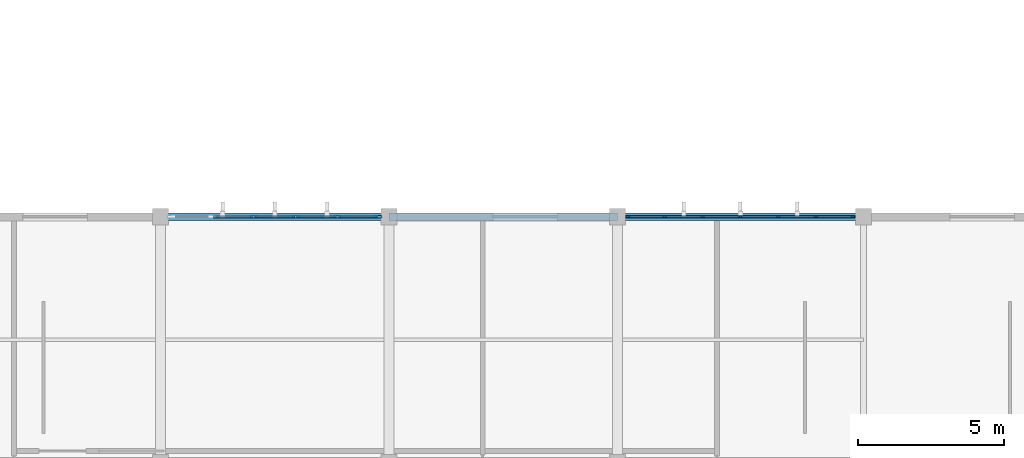
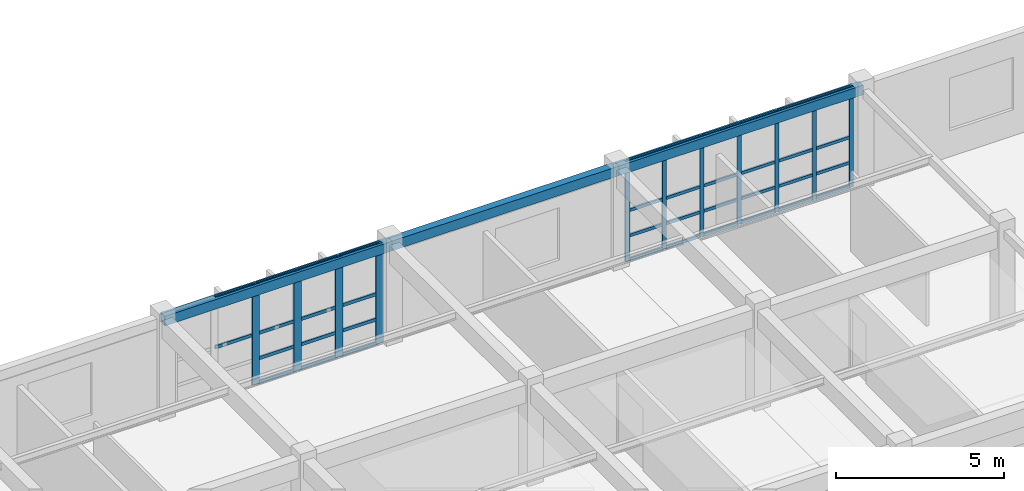
# One storey, part 14 of 35: 49 members, 3 beams, 2 elements without a shape of their own.
"""IFC4 building model written with IfcOpenShell, lengths in metres."""

from ifc_helpers import new_model, si_unit, direction, frame, origin, origin_2d, place, context, subcontext, project, spatial, rectangle, hollow_rectangle, extrude, material, material_profile, profile_set, type_object, element, aggregate, save


model = new_model("IFC4")

# Units and contexts
model_context = context("Model", 3, precision=1e-05, world=origin(), true_north=direction((0.0, 1.0)))
body_context = subcontext(model_context, "Body", "Model", "MODEL_VIEW")
ifc_project = project(units=[si_unit("LENGTHUNIT", "METRE"), si_unit("AREAUNIT", "SQUARE_METRE"), si_unit("VOLUMEUNIT", "CUBIC_METRE"), si_unit("PLANEANGLEUNIT", "RADIAN"), si_unit("MASSUNIT", "GRAM", prefix="KILO")], contexts=[model_context])

# Site, building, storey
site_placement = place(None, origin())
site = spatial("IfcSite", under=ifc_project, at=site_placement, CompositionType="ELEMENT")
building_placement = place(site_placement, origin())
building = spatial("IfcBuilding", under=site, at=building_placement, Name="Tizgana Railside Sports Hall", CompositionType="ELEMENT")
storey_placement = place(building_placement, frame((0.0, 0.0, 15.89990234375)))
storey = spatial("IfcBuildingStorey", under=building, at=storey_placement, Name="L03", CompositionType="ELEMENT", Elevation=15.89990234375)

# Curtain wall, members
ifc_material_1 = material(Name="Anodised aluminium and glass", Category="aluminium")
curtain_wall_type_1 = type_object("IfcCurtainWallType", Name="Unitised Curtain Wall WestHall 1560", PredefinedType="NOTDEFINED", material=ifc_material_1)
curtain_wall_1_placement = place(storey_placement, origin())
curtain_wall_1 = element("IfcCurtainWall", 1, at=curtain_wall_1_placement, inside=storey, type_object=curtain_wall_type_1, Name="L03 Curtain Wall CW-0126", PredefinedType="NOTDEFINED")
ifc_material_2 = material(Name="Anodised aluminium", Category="aluminium")
ifc_material_profile_1 = material_profile(ifc_material_2, rectangle(XDim=0.06005859375, YDim=0.139892578125, at=origin_2d()), Name="Mullion 60x140")
ifc_profile_set_1 = profile_set([ifc_material_profile_1], Name="Anodised aluminium")
member_type_1 = type_object("IfcMemberType", Name="Mullion 60x140", PredefinedType="MULLION", material=ifc_profile_set_1)
member_1_placement = place(storey_placement, frame((54.9599609375, 32.39990234375, 0.0), z_axis=(0.0, 0.0, 1.0), x_axis=(0.0, 1.0, 0.0)))
member_1 = element("IfcMember", 2, at=member_1_placement, type_object=member_type_1, Name="CW-07 mullion 1", PredefinedType="MULLION", context=body_context, shape_type="SweptSolid", body=[
    extrude(rectangle(XDim=0.06005859375, YDim=0.139892578125, at=origin_2d()), origin(), (0.0, 0.0, 1.0), 3.64013671875),
])
member_2_placement = place(storey_placement, frame((56.219970703125, 32.39990234375, 0.0), z_axis=(0.0, 0.0, 1.0), x_axis=(0.0, 1.0, 0.0)))
member_2 = element("IfcMember", 3, at=member_2_placement, type_object=member_type_1, Name="CW-07 mullion 2", PredefinedType="MULLION", context=body_context, shape_type="SweptSolid", body=[
    extrude(rectangle(XDim=0.06005859375, YDim=0.139892578125, at=origin_2d()), origin(), (0.0, 0.0, 1.0), 3.64013671875),
])
member_3_placement = place(storey_placement, frame((57.510009765625, 32.39990234375, 0.0), z_axis=(0.0, 0.0, 1.0), x_axis=(0.0, 1.0, 0.0)))
member_3 = element("IfcMember", 4, at=member_3_placement, type_object=member_type_1, Name="CW-07 mullion 3", PredefinedType="MULLION", context=body_context, shape_type="SweptSolid", body=[
    extrude(rectangle(XDim=0.06005859375, YDim=0.139892578125, at=origin_2d()), origin(), (0.0, 0.0, 1.0), 3.64013671875),
])
member_4_placement = place(storey_placement, frame((58.800048828125, 32.39990234375, 0.0), z_axis=(0.0, 0.0, 1.0), x_axis=(0.0, 1.0, 0.0)))
member_4 = element("IfcMember", 5, at=member_4_placement, type_object=member_type_1, Name="CW-07 mullion 4", PredefinedType="MULLION", context=body_context, shape_type="SweptSolid", body=[
    extrude(rectangle(XDim=0.06005859375, YDim=0.139892578125, at=origin_2d()), origin(), (0.0, 0.0, 1.0), 3.64013671875),
])
member_5_placement = place(storey_placement, frame((60.090087890625, 32.39990234375, 0.0), z_axis=(0.0, 0.0, 1.0), x_axis=(0.0, 1.0, 0.0)))
member_5 = element("IfcMember", 6, at=member_5_placement, type_object=member_type_1, Name="CW-07 mullion 5", PredefinedType="MULLION", context=body_context, shape_type="SweptSolid", body=[
    extrude(rectangle(XDim=0.06005859375, YDim=0.139892578125, at=origin_2d()), origin(), (0.0, 0.0, 1.0), 3.64013671875),
])
member_6_placement = place(storey_placement, frame((61.3798828125, 32.39990234375, 0.0), z_axis=(0.0, 0.0, 1.0), x_axis=(0.0, 1.0, 0.0)))
member_6 = element("IfcMember", 7, at=member_6_placement, type_object=member_type_1, Name="CW-07 mullion 6", PredefinedType="MULLION", context=body_context, shape_type="SweptSolid", body=[
    extrude(rectangle(XDim=0.06005859375, YDim=0.139892578125, at=origin_2d()), origin(), (0.0, 0.0, 1.0), 3.64013671875),
])
member_7_placement = place(storey_placement, frame((62.639892578125, 32.39990234375, 0.0), z_axis=(0.0, 0.0, 1.0), x_axis=(0.0, 1.0, 0.0)))
member_7 = element("IfcMember", 8, at=member_7_placement, type_object=member_type_1, Name="CW-07 mullion 7", PredefinedType="MULLION", context=body_context, shape_type="SweptSolid", body=[
    extrude(rectangle(XDim=0.06005859375, YDim=0.139892578125, at=origin_2d()), origin(), (0.0, 0.0, 1.0), 3.64013671875),
])

curtain_wall_type_2 = type_object("IfcCurtainWallType", Name="Unitised Curtain Wall Passage 1800", PredefinedType="NOTDEFINED", material=ifc_material_1)
curtain_wall_2_placement = place(storey_placement, origin())
curtain_wall_2 = element("IfcCurtainWall", 9, at=curtain_wall_2_placement, inside=storey, type_object=curtain_wall_type_2, Name="L03 Curtain Wall CW-0125", PredefinedType="NOTDEFINED")
ifc_material_profile_2 = material_profile(ifc_material_2, rectangle(XDim=0.074951171875, YDim=0.25, at=origin_2d()), Name="Mullion 75x250")
ifc_profile_set_2 = profile_set([ifc_material_profile_2], Name="Anodised aluminium")
member_type_2 = type_object("IfcMemberType", Name="Mullion 75x250", PredefinedType="MULLION", material=ifc_profile_set_2)
member_8_placement = place(storey_placement, frame((42.18603515625, 32.39990234375, 0.0), z_axis=(0.0, 0.0, 1.0), x_axis=(0.0, 1.0, 0.0)))
member_8 = element("IfcMember", 10, at=member_8_placement, type_object=member_type_2, Name="CW-06 mullion 3", PredefinedType="MULLION", context=body_context, shape_type="SweptSolid", body=[
    extrude(rectangle(XDim=0.074951171875, YDim=0.25, at=origin_2d()), origin(), (0.0, 0.0, 1.0), 3.64013671875),
])
member_9_placement = place(storey_placement, frame((43.614013671875, 32.39990234375, 0.0), z_axis=(0.0, 0.0, 1.0), x_axis=(0.0, 1.0, 0.0)))
member_9 = element("IfcMember", 11, at=member_9_placement, type_object=member_type_2, Name="CW-06 mullion 4", PredefinedType="MULLION", context=body_context, shape_type="SweptSolid", body=[
    extrude(rectangle(XDim=0.074951171875, YDim=0.25, at=origin_2d()), origin(), (0.0, 0.0, 1.0), 3.64013671875),
])
member_10_placement = place(storey_placement, frame((45.0419921875, 32.39990234375, 0.0), z_axis=(0.0, 0.0, 1.0), x_axis=(0.0, 1.0, 0.0)))
member_10 = element("IfcMember", 12, at=member_10_placement, type_object=member_type_2, Name="CW-06 mullion 5", PredefinedType="MULLION", context=body_context, shape_type="SweptSolid", body=[
    extrude(rectangle(XDim=0.074951171875, YDim=0.25, at=origin_2d()), origin(), (0.0, 0.0, 1.0), 3.64013671875),
])
member_11_placement = place(storey_placement, frame((46.4326171875, 32.39990234375, 0.0), z_axis=(0.0, 0.0, 1.0), x_axis=(0.0, 1.0, 0.0)))
member_11 = element("IfcMember", 13, at=member_11_placement, type_object=member_type_2, Name="CW-06 mullion 6", PredefinedType="MULLION", context=body_context, shape_type="SweptSolid", body=[
    extrude(rectangle(XDim=0.074951171875, YDim=0.25, at=origin_2d()), origin(), (0.0, 0.0, 1.0), 3.64013671875),
])

# Beams
ifc_material_3 = material(Name="Steel S355J2", Category="steel")
ifc_material_profile_3 = material_profile(ifc_material_3, hollow_rectangle(XDim=0.25, YDim=0.35009765625, WallThickness=0.011962890625, at=origin_2d()), Name="RHS 350x250x12")
ifc_profile_set_3 = profile_set([ifc_material_profile_3], Name="Steel S355J2")
beam_type = type_object("IfcBeamType", Name="Steel Spandrel RHS 350x250x12", PredefinedType="SPANDREL", material=ifc_profile_set_3)
for number, where, z_axis, x_axis, name in (
    (14, (39.0, 32.39990234375, 3.461181640625), (1.0, 0.0, 0.0), (0.0, 1.0, 0.0), "L03 BEM-0767"),
    (15, (46.800048828125, 32.39990234375, 3.461181640625), (1.0, 0.0, 0.0), (0.0, 1.0, 0.0), "L03 BEM-0774"),
):
    element("IfcBeam", number, at=place(storey_placement, frame(where, z_axis=z_axis, x_axis=x_axis)), inside=storey, type_object=beam_type, Name=name, PredefinedType="SPANDREL", context=body_context, shape_type="SweptSolid", body=[
        extrude(hollow_rectangle(XDim=0.25, YDim=0.35009765625, WallThickness=0.011962890625, at=origin_2d()), origin(), (0.0, 0.0, 1.0), 7.800048828125),
    ])
beam_placement = place(storey_placement, frame((54.60009765625, 32.39990234375, 3.461181640625), z_axis=(1.0, 0.0, 0.0), x_axis=(0.0, 1.0, 0.0)))
element("IfcBeam", 16, at=beam_placement, inside=storey, type_object=beam_type, Name="L03 BEM-0781", PredefinedType="SPANDREL", context=body_context, shape_type="SweptSolid", body=[
    extrude(hollow_rectangle(XDim=0.25, YDim=0.35009765625, WallThickness=0.011962890625, at=origin_2d()), origin(), (0.0, 0.0, 1.0), 8.39990234375),
])

# Member
ifc_material_profile_4 = material_profile(ifc_material_2, rectangle(XDim=0.054931640625, YDim=0.1201171875, at=origin_2d()), Name="Transom 55x120")
ifc_profile_set_4 = profile_set([ifc_material_profile_4], Name="Anodised aluminium")
member_type_3 = type_object("IfcMemberType", Name="Transom 55x120", PredefinedType="USERDEFINED", material=ifc_profile_set_4)
member_12_placement = place(storey_placement, frame((40.79541015625, 32.39990234375, 1.820068359375), z_axis=(1.0, 0.0, 0.0), x_axis=(0.0, 1.0, 0.0)))
member_12 = element("IfcMember", 17, at=member_12_placement, type_object=member_type_3, Name="CW-06 transom 2.3", ObjectType="TRANSOM", PredefinedType="USERDEFINED", context=body_context, shape_type="SweptSolid", body=[
    extrude(rectangle(XDim=0.054931640625, YDim=0.1201171875, at=origin_2d()), origin(), (0.0, 0.0, 1.0), 1.35302734375),
])

member_13_placement = place(storey_placement, frame((40.79541015625, 32.39990234375, 3.612548828125), z_axis=(1.0, 0.0, 0.0), x_axis=(0.0, 1.0, 0.0)))
member_13 = element("IfcMember", 18, at=member_13_placement, type_object=member_type_3, Name="CW-06 transom 2.4", ObjectType="TRANSOM", PredefinedType="USERDEFINED", context=body_context, shape_type="SweptSolid", body=[
    extrude(rectangle(XDim=0.054931640625, YDim=0.1201171875, at=origin_2d()), origin(), (0.0, 0.0, 1.0), 1.35302734375),
])

member_14_placement = place(storey_placement, frame((42.223388671875, 32.39990234375, 0.027587890625), z_axis=(1.0, 0.0, 0.0), x_axis=(0.0, 1.0, 0.0)))
member_14 = element("IfcMember", 19, at=member_14_placement, type_object=member_type_3, Name="CW-06 transom 3.1", ObjectType="TRANSOM", PredefinedType="USERDEFINED", context=body_context, shape_type="SweptSolid", body=[
    extrude(rectangle(XDim=0.054931640625, YDim=0.1201171875, at=origin_2d()), origin(), (0.0, 0.0, 1.0), 1.35302734375),
])

member_15_placement = place(storey_placement, frame((42.223388671875, 32.39990234375, 0.900146484375), z_axis=(1.0, 0.0, 0.0), x_axis=(0.0, 1.0, 0.0)))
member_15 = element("IfcMember", 20, at=member_15_placement, type_object=member_type_3, Name="CW-06 transom 3.2", ObjectType="TRANSOM", PredefinedType="USERDEFINED", context=body_context, shape_type="SweptSolid", body=[
    extrude(rectangle(XDim=0.054931640625, YDim=0.1201171875, at=origin_2d()), origin(), (0.0, 0.0, 1.0), 1.35302734375),
])

member_16_placement = place(storey_placement, frame((42.223388671875, 32.39990234375, 1.820068359375), z_axis=(1.0, 0.0, 0.0), x_axis=(0.0, 1.0, 0.0)))
member_16 = element("IfcMember", 21, at=member_16_placement, type_object=member_type_3, Name="CW-06 transom 3.3", ObjectType="TRANSOM", PredefinedType="USERDEFINED", context=body_context, shape_type="SweptSolid", body=[
    extrude(rectangle(XDim=0.054931640625, YDim=0.1201171875, at=origin_2d()), origin(), (0.0, 0.0, 1.0), 1.35302734375),
])

member_17_placement = place(storey_placement, frame((42.223388671875, 32.39990234375, 3.612548828125), z_axis=(1.0, 0.0, 0.0), x_axis=(0.0, 1.0, 0.0)))
member_17 = element("IfcMember", 22, at=member_17_placement, type_object=member_type_3, Name="CW-06 transom 3.4", ObjectType="TRANSOM", PredefinedType="USERDEFINED", context=body_context, shape_type="SweptSolid", body=[
    extrude(rectangle(XDim=0.054931640625, YDim=0.1201171875, at=origin_2d()), origin(), (0.0, 0.0, 1.0), 1.35302734375),
])

member_18_placement = place(storey_placement, frame((43.651611328125, 32.39990234375, 0.027587890625), z_axis=(1.0, 0.0, 0.0), x_axis=(0.0, 1.0, 0.0)))
member_18 = element("IfcMember", 23, at=member_18_placement, type_object=member_type_3, Name="CW-06 transom 4.1", ObjectType="TRANSOM", PredefinedType="USERDEFINED", context=body_context, shape_type="SweptSolid", body=[
    extrude(rectangle(XDim=0.054931640625, YDim=0.1201171875, at=origin_2d()), origin(), (0.0, 0.0, 1.0), 1.352783203125),
])

member_19_placement = place(storey_placement, frame((43.651611328125, 32.39990234375, 0.900146484375), z_axis=(1.0, 0.0, 0.0), x_axis=(0.0, 1.0, 0.0)))
member_19 = element("IfcMember", 24, at=member_19_placement, type_object=member_type_3, Name="CW-06 transom 4.2", ObjectType="TRANSOM", PredefinedType="USERDEFINED", context=body_context, shape_type="SweptSolid", body=[
    extrude(rectangle(XDim=0.054931640625, YDim=0.1201171875, at=origin_2d()), origin(), (0.0, 0.0, 1.0), 1.352783203125),
])

member_20_placement = place(storey_placement, frame((43.651611328125, 32.39990234375, 1.820068359375), z_axis=(1.0, 0.0, 0.0), x_axis=(0.0, 1.0, 0.0)))
member_20 = element("IfcMember", 25, at=member_20_placement, type_object=member_type_3, Name="CW-06 transom 4.3", ObjectType="TRANSOM", PredefinedType="USERDEFINED", context=body_context, shape_type="SweptSolid", body=[
    extrude(rectangle(XDim=0.054931640625, YDim=0.1201171875, at=origin_2d()), origin(), (0.0, 0.0, 1.0), 1.352783203125),
])

member_21_placement = place(storey_placement, frame((43.651611328125, 32.39990234375, 3.612548828125), z_axis=(1.0, 0.0, 0.0), x_axis=(0.0, 1.0, 0.0)))
member_21 = element("IfcMember", 26, at=member_21_placement, type_object=member_type_3, Name="CW-06 transom 4.4", ObjectType="TRANSOM", PredefinedType="USERDEFINED", context=body_context, shape_type="SweptSolid", body=[
    extrude(rectangle(XDim=0.054931640625, YDim=0.1201171875, at=origin_2d()), origin(), (0.0, 0.0, 1.0), 1.352783203125),
])

member_22_placement = place(storey_placement, frame((45.07958984375, 32.39990234375, 0.027587890625), z_axis=(1.0, 0.0, 0.0), x_axis=(0.0, 1.0, 0.0)))
member_22 = element("IfcMember", 27, at=member_22_placement, type_object=member_type_3, Name="CW-06 transom 5.1", ObjectType="TRANSOM", PredefinedType="USERDEFINED", context=body_context, shape_type="SweptSolid", body=[
    extrude(rectangle(XDim=0.054931640625, YDim=0.1201171875, at=origin_2d()), origin(), (0.0, 0.0, 1.0), 1.3154296875),
])

member_23_placement = place(storey_placement, frame((45.07958984375, 32.39990234375, 0.900146484375), z_axis=(1.0, 0.0, 0.0), x_axis=(0.0, 1.0, 0.0)))
member_23 = element("IfcMember", 28, at=member_23_placement, type_object=member_type_3, Name="CW-06 transom 5.2", ObjectType="TRANSOM", PredefinedType="USERDEFINED", context=body_context, shape_type="SweptSolid", body=[
    extrude(rectangle(XDim=0.054931640625, YDim=0.1201171875, at=origin_2d()), origin(), (0.0, 0.0, 1.0), 1.3154296875),
])

member_24_placement = place(storey_placement, frame((45.07958984375, 32.39990234375, 1.820068359375), z_axis=(1.0, 0.0, 0.0), x_axis=(0.0, 1.0, 0.0)))
member_24 = element("IfcMember", 29, at=member_24_placement, type_object=member_type_3, Name="CW-06 transom 5.3", ObjectType="TRANSOM", PredefinedType="USERDEFINED", context=body_context, shape_type="SweptSolid", body=[
    extrude(rectangle(XDim=0.054931640625, YDim=0.1201171875, at=origin_2d()), origin(), (0.0, 0.0, 1.0), 1.3154296875),
])

member_25_placement = place(storey_placement, frame((45.07958984375, 32.39990234375, 3.612548828125), z_axis=(1.0, 0.0, 0.0), x_axis=(0.0, 1.0, 0.0)))
member_25 = element("IfcMember", 30, at=member_25_placement, type_object=member_type_3, Name="CW-06 transom 5.4", ObjectType="TRANSOM", PredefinedType="USERDEFINED", context=body_context, shape_type="SweptSolid", body=[
    extrude(rectangle(XDim=0.054931640625, YDim=0.1201171875, at=origin_2d()), origin(), (0.0, 0.0, 1.0), 1.3154296875),
])

aggregate(curtain_wall_2, [member_8, member_9, member_10, member_11, member_12, member_13, member_14, member_15, member_16, member_17, member_18, member_19, member_20, member_21, member_22, member_23, member_24, member_25])

ifc_material_profile_5 = material_profile(ifc_material_2, rectangle(XDim=0.06005859375, YDim=0.110107421875, at=origin_2d()), Name="Transom 60x110")
ifc_profile_set_5 = profile_set([ifc_material_profile_5], Name="Anodised aluminium")
member_type_4 = type_object("IfcMemberType", Name="Transom 60x110", PredefinedType="USERDEFINED", material=ifc_profile_set_5)
member_26_placement = place(storey_placement, frame((54.989990234375, 32.39990234375, 0.030029296875), z_axis=(1.0, 0.0, 0.0), x_axis=(0.0, 1.0, 0.0)))
member_26 = element("IfcMember", 31, at=member_26_placement, type_object=member_type_4, Name="CW-07 transom 1.1", ObjectType="TRANSOM", PredefinedType="USERDEFINED", context=body_context, shape_type="SweptSolid", body=[
    extrude(rectangle(XDim=0.06005859375, YDim=0.110107421875, at=origin_2d()), origin(), (0.0, 0.0, 1.0), 1.199951171875),
])

member_27_placement = place(storey_placement, frame((54.989990234375, 32.39990234375, 0.900146484375), z_axis=(1.0, 0.0, 0.0), x_axis=(0.0, 1.0, 0.0)))
member_27 = element("IfcMember", 32, at=member_27_placement, type_object=member_type_4, Name="CW-07 transom 1.2", ObjectType="TRANSOM", PredefinedType="USERDEFINED", context=body_context, shape_type="SweptSolid", body=[
    extrude(rectangle(XDim=0.06005859375, YDim=0.110107421875, at=origin_2d()), origin(), (0.0, 0.0, 1.0), 1.199951171875),
])

member_28_placement = place(storey_placement, frame((54.989990234375, 32.39990234375, 1.820068359375), z_axis=(1.0, 0.0, 0.0), x_axis=(0.0, 1.0, 0.0)))
member_28 = element("IfcMember", 33, at=member_28_placement, type_object=member_type_4, Name="CW-07 transom 1.3", ObjectType="TRANSOM", PredefinedType="USERDEFINED", context=body_context, shape_type="SweptSolid", body=[
    extrude(rectangle(XDim=0.06005859375, YDim=0.110107421875, at=origin_2d()), origin(), (0.0, 0.0, 1.0), 1.199951171875),
])

member_29_placement = place(storey_placement, frame((54.989990234375, 32.39990234375, 3.610107421875), z_axis=(1.0, 0.0, 0.0), x_axis=(0.0, 1.0, 0.0)))
member_29 = element("IfcMember", 34, at=member_29_placement, type_object=member_type_4, Name="CW-07 transom 1.4", ObjectType="TRANSOM", PredefinedType="USERDEFINED", context=body_context, shape_type="SweptSolid", body=[
    extrude(rectangle(XDim=0.06005859375, YDim=0.110107421875, at=origin_2d()), origin(), (0.0, 0.0, 1.0), 1.199951171875),
])

member_30_placement = place(storey_placement, frame((56.25, 32.39990234375, 0.030029296875), z_axis=(1.0, 0.0, 0.0), x_axis=(0.0, 1.0, 0.0)))
member_30 = element("IfcMember", 35, at=member_30_placement, type_object=member_type_4, Name="CW-07 transom 2.1", ObjectType="TRANSOM", PredefinedType="USERDEFINED", context=body_context, shape_type="SweptSolid", body=[
    extrude(rectangle(XDim=0.06005859375, YDim=0.110107421875, at=origin_2d()), origin(), (0.0, 0.0, 1.0), 1.22998046875),
])

member_31_placement = place(storey_placement, frame((56.25, 32.39990234375, 0.900146484375), z_axis=(1.0, 0.0, 0.0), x_axis=(0.0, 1.0, 0.0)))
member_31 = element("IfcMember", 36, at=member_31_placement, type_object=member_type_4, Name="CW-07 transom 2.2", ObjectType="TRANSOM", PredefinedType="USERDEFINED", context=body_context, shape_type="SweptSolid", body=[
    extrude(rectangle(XDim=0.06005859375, YDim=0.110107421875, at=origin_2d()), origin(), (0.0, 0.0, 1.0), 1.22998046875),
])

member_32_placement = place(storey_placement, frame((56.25, 32.39990234375, 1.820068359375), z_axis=(1.0, 0.0, 0.0), x_axis=(0.0, 1.0, 0.0)))
member_32 = element("IfcMember", 37, at=member_32_placement, type_object=member_type_4, Name="CW-07 transom 2.3", ObjectType="TRANSOM", PredefinedType="USERDEFINED", context=body_context, shape_type="SweptSolid", body=[
    extrude(rectangle(XDim=0.06005859375, YDim=0.110107421875, at=origin_2d()), origin(), (0.0, 0.0, 1.0), 1.22998046875),
])

member_33_placement = place(storey_placement, frame((56.25, 32.39990234375, 3.610107421875), z_axis=(1.0, 0.0, 0.0), x_axis=(0.0, 1.0, 0.0)))
member_33 = element("IfcMember", 38, at=member_33_placement, type_object=member_type_4, Name="CW-07 transom 2.4", ObjectType="TRANSOM", PredefinedType="USERDEFINED", context=body_context, shape_type="SweptSolid", body=[
    extrude(rectangle(XDim=0.06005859375, YDim=0.110107421875, at=origin_2d()), origin(), (0.0, 0.0, 1.0), 1.22998046875),
])

member_34_placement = place(storey_placement, frame((57.5400390625, 32.39990234375, 0.030029296875), z_axis=(1.0, 0.0, 0.0), x_axis=(0.0, 1.0, 0.0)))
member_34 = element("IfcMember", 39, at=member_34_placement, type_object=member_type_4, Name="CW-07 transom 3.1", ObjectType="TRANSOM", PredefinedType="USERDEFINED", context=body_context, shape_type="SweptSolid", body=[
    extrude(rectangle(XDim=0.06005859375, YDim=0.110107421875, at=origin_2d()), origin(), (0.0, 0.0, 1.0), 1.22998046875),
])

member_35_placement = place(storey_placement, frame((57.5400390625, 32.39990234375, 0.900146484375), z_axis=(1.0, 0.0, 0.0), x_axis=(0.0, 1.0, 0.0)))
member_35 = element("IfcMember", 40, at=member_35_placement, type_object=member_type_4, Name="CW-07 transom 3.2", ObjectType="TRANSOM", PredefinedType="USERDEFINED", context=body_context, shape_type="SweptSolid", body=[
    extrude(rectangle(XDim=0.06005859375, YDim=0.110107421875, at=origin_2d()), origin(), (0.0, 0.0, 1.0), 1.22998046875),
])

member_36_placement = place(storey_placement, frame((57.5400390625, 32.39990234375, 1.820068359375), z_axis=(1.0, 0.0, 0.0), x_axis=(0.0, 1.0, 0.0)))
member_36 = element("IfcMember", 41, at=member_36_placement, type_object=member_type_4, Name="CW-07 transom 3.3", ObjectType="TRANSOM", PredefinedType="USERDEFINED", context=body_context, shape_type="SweptSolid", body=[
    extrude(rectangle(XDim=0.06005859375, YDim=0.110107421875, at=origin_2d()), origin(), (0.0, 0.0, 1.0), 1.22998046875),
])

member_37_placement = place(storey_placement, frame((57.5400390625, 32.39990234375, 3.610107421875), z_axis=(1.0, 0.0, 0.0), x_axis=(0.0, 1.0, 0.0)))
member_37 = element("IfcMember", 42, at=member_37_placement, type_object=member_type_4, Name="CW-07 transom 3.4", ObjectType="TRANSOM", PredefinedType="USERDEFINED", context=body_context, shape_type="SweptSolid", body=[
    extrude(rectangle(XDim=0.06005859375, YDim=0.110107421875, at=origin_2d()), origin(), (0.0, 0.0, 1.0), 1.22998046875),
])

member_38_placement = place(storey_placement, frame((58.830078125, 32.39990234375, 0.030029296875), z_axis=(1.0, 0.0, 0.0), x_axis=(0.0, 1.0, 0.0)))
member_38 = element("IfcMember", 43, at=member_38_placement, type_object=member_type_4, Name="CW-07 transom 4.1", ObjectType="TRANSOM", PredefinedType="USERDEFINED", context=body_context, shape_type="SweptSolid", body=[
    extrude(rectangle(XDim=0.06005859375, YDim=0.110107421875, at=origin_2d()), origin(), (0.0, 0.0, 1.0), 1.22998046875),
])

member_39_placement = place(storey_placement, frame((58.830078125, 32.39990234375, 0.900146484375), z_axis=(1.0, 0.0, 0.0), x_axis=(0.0, 1.0, 0.0)))
member_39 = element("IfcMember", 44, at=member_39_placement, type_object=member_type_4, Name="CW-07 transom 4.2", ObjectType="TRANSOM", PredefinedType="USERDEFINED", context=body_context, shape_type="SweptSolid", body=[
    extrude(rectangle(XDim=0.06005859375, YDim=0.110107421875, at=origin_2d()), origin(), (0.0, 0.0, 1.0), 1.22998046875),
])

member_40_placement = place(storey_placement, frame((58.830078125, 32.39990234375, 1.820068359375), z_axis=(1.0, 0.0, 0.0), x_axis=(0.0, 1.0, 0.0)))
member_40 = element("IfcMember", 45, at=member_40_placement, type_object=member_type_4, Name="CW-07 transom 4.3", ObjectType="TRANSOM", PredefinedType="USERDEFINED", context=body_context, shape_type="SweptSolid", body=[
    extrude(rectangle(XDim=0.06005859375, YDim=0.110107421875, at=origin_2d()), origin(), (0.0, 0.0, 1.0), 1.22998046875),
])

member_41_placement = place(storey_placement, frame((58.830078125, 32.39990234375, 3.610107421875), z_axis=(1.0, 0.0, 0.0), x_axis=(0.0, 1.0, 0.0)))
member_41 = element("IfcMember", 46, at=member_41_placement, type_object=member_type_4, Name="CW-07 transom 4.4", ObjectType="TRANSOM", PredefinedType="USERDEFINED", context=body_context, shape_type="SweptSolid", body=[
    extrude(rectangle(XDim=0.06005859375, YDim=0.110107421875, at=origin_2d()), origin(), (0.0, 0.0, 1.0), 1.22998046875),
])

member_42_placement = place(storey_placement, frame((60.1201171875, 32.39990234375, 0.030029296875), z_axis=(1.0, 0.0, 0.0), x_axis=(0.0, 1.0, 0.0)))
member_42 = element("IfcMember", 47, at=member_42_placement, type_object=member_type_4, Name="CW-07 transom 5.1", ObjectType="TRANSOM", PredefinedType="USERDEFINED", context=body_context, shape_type="SweptSolid", body=[
    extrude(rectangle(XDim=0.06005859375, YDim=0.110107421875, at=origin_2d()), origin(), (0.0, 0.0, 1.0), 1.22998046875),
])

member_43_placement = place(storey_placement, frame((60.1201171875, 32.39990234375, 0.900146484375), z_axis=(1.0, 0.0, 0.0), x_axis=(0.0, 1.0, 0.0)))
member_43 = element("IfcMember", 48, at=member_43_placement, type_object=member_type_4, Name="CW-07 transom 5.2", ObjectType="TRANSOM", PredefinedType="USERDEFINED", context=body_context, shape_type="SweptSolid", body=[
    extrude(rectangle(XDim=0.06005859375, YDim=0.110107421875, at=origin_2d()), origin(), (0.0, 0.0, 1.0), 1.22998046875),
])

member_44_placement = place(storey_placement, frame((60.1201171875, 32.39990234375, 1.820068359375), z_axis=(1.0, 0.0, 0.0), x_axis=(0.0, 1.0, 0.0)))
member_44 = element("IfcMember", 49, at=member_44_placement, type_object=member_type_4, Name="CW-07 transom 5.3", ObjectType="TRANSOM", PredefinedType="USERDEFINED", context=body_context, shape_type="SweptSolid", body=[
    extrude(rectangle(XDim=0.06005859375, YDim=0.110107421875, at=origin_2d()), origin(), (0.0, 0.0, 1.0), 1.22998046875),
])

member_45_placement = place(storey_placement, frame((60.1201171875, 32.39990234375, 3.610107421875), z_axis=(1.0, 0.0, 0.0), x_axis=(0.0, 1.0, 0.0)))
member_45 = element("IfcMember", 50, at=member_45_placement, type_object=member_type_4, Name="CW-07 transom 5.4", ObjectType="TRANSOM", PredefinedType="USERDEFINED", context=body_context, shape_type="SweptSolid", body=[
    extrude(rectangle(XDim=0.06005859375, YDim=0.110107421875, at=origin_2d()), origin(), (0.0, 0.0, 1.0), 1.22998046875),
])

member_46_placement = place(storey_placement, frame((61.409912109375, 32.39990234375, 0.030029296875), z_axis=(1.0, 0.0, 0.0), x_axis=(0.0, 1.0, 0.0)))
member_46 = element("IfcMember", 51, at=member_46_placement, type_object=member_type_4, Name="CW-07 transom 6.1", ObjectType="TRANSOM", PredefinedType="USERDEFINED", context=body_context, shape_type="SweptSolid", body=[
    extrude(rectangle(XDim=0.06005859375, YDim=0.110107421875, at=origin_2d()), origin(), (0.0, 0.0, 1.0), 1.2001953125),
])

member_47_placement = place(storey_placement, frame((61.409912109375, 32.39990234375, 0.900146484375), z_axis=(1.0, 0.0, 0.0), x_axis=(0.0, 1.0, 0.0)))
member_47 = element("IfcMember", 52, at=member_47_placement, type_object=member_type_4, Name="CW-07 transom 6.2", ObjectType="TRANSOM", PredefinedType="USERDEFINED", context=body_context, shape_type="SweptSolid", body=[
    extrude(rectangle(XDim=0.06005859375, YDim=0.110107421875, at=origin_2d()), origin(), (0.0, 0.0, 1.0), 1.2001953125),
])

member_48_placement = place(storey_placement, frame((61.409912109375, 32.39990234375, 1.820068359375), z_axis=(1.0, 0.0, 0.0), x_axis=(0.0, 1.0, 0.0)))
member_48 = element("IfcMember", 53, at=member_48_placement, type_object=member_type_4, Name="CW-07 transom 6.3", ObjectType="TRANSOM", PredefinedType="USERDEFINED", context=body_context, shape_type="SweptSolid", body=[
    extrude(rectangle(XDim=0.06005859375, YDim=0.110107421875, at=origin_2d()), origin(), (0.0, 0.0, 1.0), 1.2001953125),
])

member_49_placement = place(storey_placement, frame((61.409912109375, 32.39990234375, 3.610107421875), z_axis=(1.0, 0.0, 0.0), x_axis=(0.0, 1.0, 0.0)))
member_49 = element("IfcMember", 54, at=member_49_placement, type_object=member_type_4, Name="CW-07 transom 6.4", ObjectType="TRANSOM", PredefinedType="USERDEFINED", context=body_context, shape_type="SweptSolid", body=[
    extrude(rectangle(XDim=0.06005859375, YDim=0.110107421875, at=origin_2d()), origin(), (0.0, 0.0, 1.0), 1.2001953125),
])

aggregate(curtain_wall_1, [member_1, member_2, member_3, member_4, member_5, member_6, member_7, member_26, member_27, member_28, member_29, member_30, member_31, member_32, member_33, member_34, member_35, member_36, member_37, member_38, member_39, member_40, member_41, member_42, member_43, member_44, member_45, member_46, member_47, member_48, member_49])

save(model, "model.ifc")
